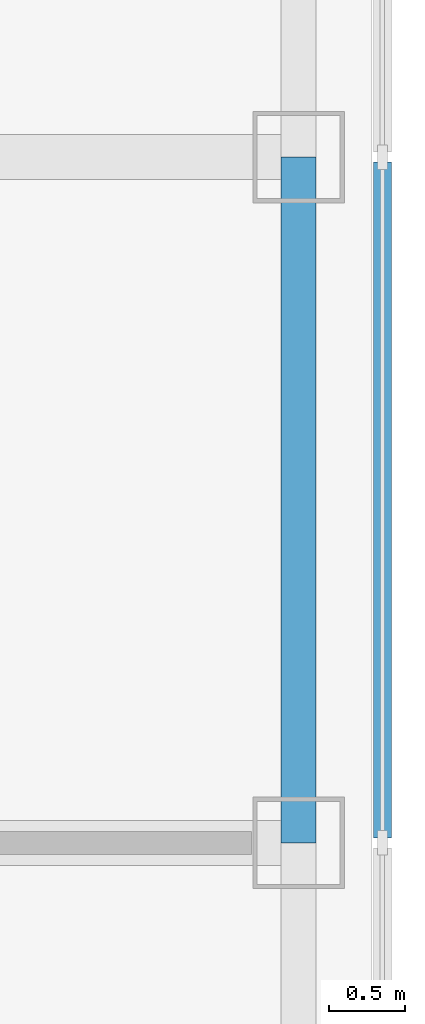
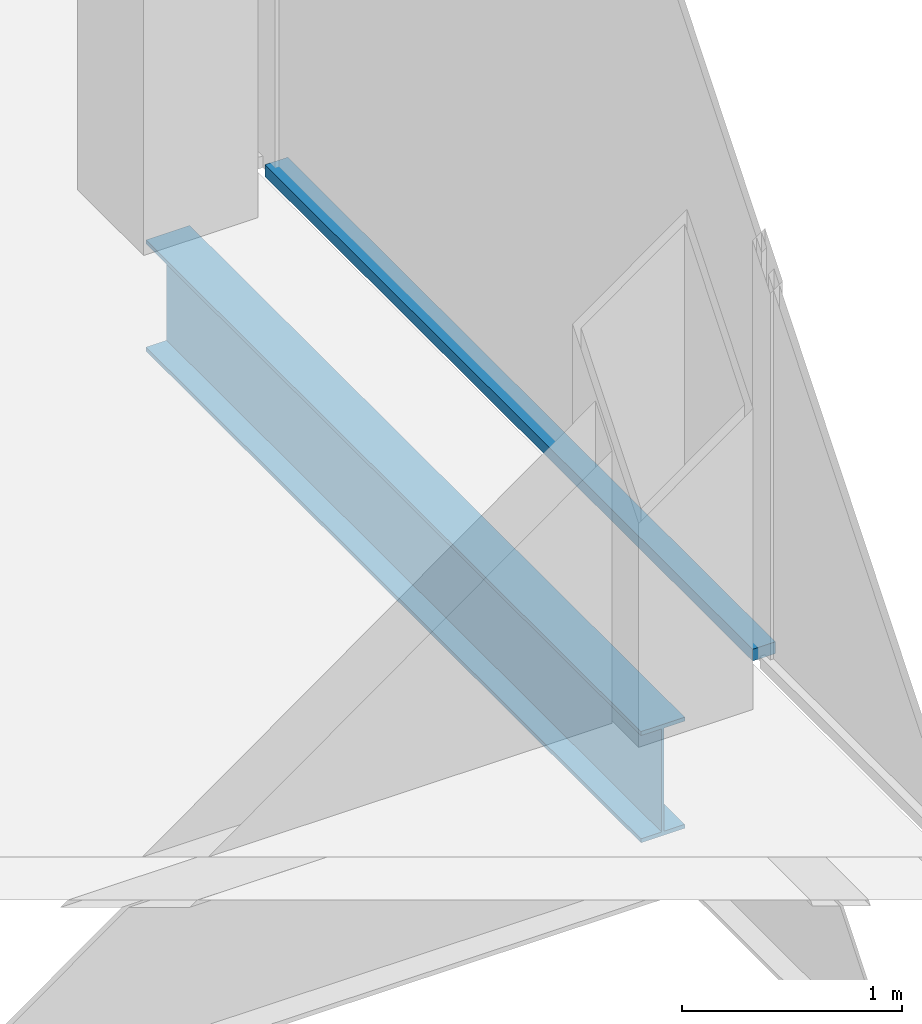
# One storey, part 5 of 13: 1 beam, 1 member, 1 element without a shape of its own.
"""IFC4 building model written with IfcOpenShell, lengths in metres."""

from ifc_helpers import new_model, si_unit, direction, frame, origin, origin_2d, place, context, subcontext, project, spatial, rectangle, i_section, extrude, material, material_profile, profile_set, type_object, element, aggregate, save


model = new_model("IFC4")

# Units and contexts
model_context = context("Model", 3, precision=1e-05, world=origin(), true_north=direction((0.0, 1.0)))
body_context = subcontext(model_context, "Body", "Model", "MODEL_VIEW")
ifc_project = project(units=[si_unit("LENGTHUNIT", "METRE"), si_unit("AREAUNIT", "SQUARE_METRE"), si_unit("VOLUMEUNIT", "CUBIC_METRE"), si_unit("PLANEANGLEUNIT", "RADIAN"), si_unit("MASSUNIT", "GRAM", prefix="KILO")], contexts=[model_context])

# Site, building, storey
site_placement = place(None, origin())
site = spatial("IfcSite", under=ifc_project, at=site_placement, CompositionType="ELEMENT")
building_placement = place(site_placement, origin())
building = spatial("IfcBuilding", under=site, at=building_placement, Name="Corais Broadcast Tower", CompositionType="ELEMENT")
storey_placement = place(building_placement, frame((0.0, 0.0, 274.60009765625)))
storey = spatial("IfcBuildingStorey", under=building, at=storey_placement, Name="L64", CompositionType="ELEMENT", Elevation=274.60009765625)

# Beam
ifc_material_1 = material(Name="Steel ASTM A572 Grade 50", Category="steel")
ifc_material_profile_1 = material_profile(ifc_material_1, i_section(OverallWidth=0.22998046875, OverallDepth=0.616943359375, WebThickness=0.01318359375, FlangeThickness=0.022216796875, at=origin_2d()), Name="W610x140")
ifc_profile_set_1 = profile_set([ifc_material_profile_1], Name="Steel ASTM A572 Grade 50")
beam_type = type_object("IfcBeamType", Name="Spandrel W610x140", PredefinedType="BEAM", material=ifc_profile_set_1)
beam_placement = place(storey_placement, frame((54.0, 27.0, -0.468505859375), z_axis=(0.0, 1.0, 0.0), x_axis=(-1.0, 0.0, 0.0)))
element("IfcBeam", 1, at=beam_placement, inside=storey, type_object=beam_type, Name="SB3 G/15 to H/15", PredefinedType="BEAM", context=body_context, shape_type="SweptSolid", body=[
    extrude(i_section(OverallWidth=0.22998046875, OverallDepth=0.616943359375, WebThickness=0.01318359375, FlangeThickness=0.022216796875, at=origin_2d()), origin(), (0.0, 0.0, 1.0), 4.5),
])

# Curtain wall, member
ifc_material_2 = material(Name="Aluminium and glass", Category="aluminium")
curtain_wall_type = type_object("IfcCurtainWallType", Name="Unitised fritted curtain wall CW3", PredefinedType="NOTDEFINED", material=ifc_material_2)
curtain_wall_placement = place(storey_placement, origin())
curtain_wall = element("IfcCurtainWall", 2, at=curtain_wall_placement, inside=storey, type_object=curtain_wall_type, Name="CW3 curtain wall L64 6", PredefinedType="NOTDEFINED")
ifc_material_3 = material(Name="Aluminium 6063-T6", Category="aluminium")
ifc_material_profile_2 = material_profile(ifc_material_3, rectangle(XDim=0.1201171875, YDim=0.06494140625, at=origin_2d()), Name="Transom CW3 65x120")
ifc_profile_set_2 = profile_set([ifc_material_profile_2], Name="Aluminium 6063-T6")
member_type = type_object("IfcMemberType", Name="Transom CW3 65x120", PredefinedType="USERDEFINED", material=ifc_profile_set_2)
member_placement = place(storey_placement, frame((54.550048828125, 31.467529296875, 0.032470703125), z_axis=(0.0, -1.0, 0.0), x_axis=(1.0, 0.0, 0.0)))
member = element("IfcMember", 3, at=member_placement, type_object=member_type, Name="CW3 transom 3.1", ObjectType="TRANSOM", PredefinedType="USERDEFINED", context=body_context, shape_type="SweptSolid", body=[
    extrude(rectangle(XDim=0.1201171875, YDim=0.06494140625, at=origin_2d()), origin(), (0.0, 0.0, 1.0), 4.43505859375),
])
aggregate(curtain_wall, [member])

save(model, "model.ifc")
